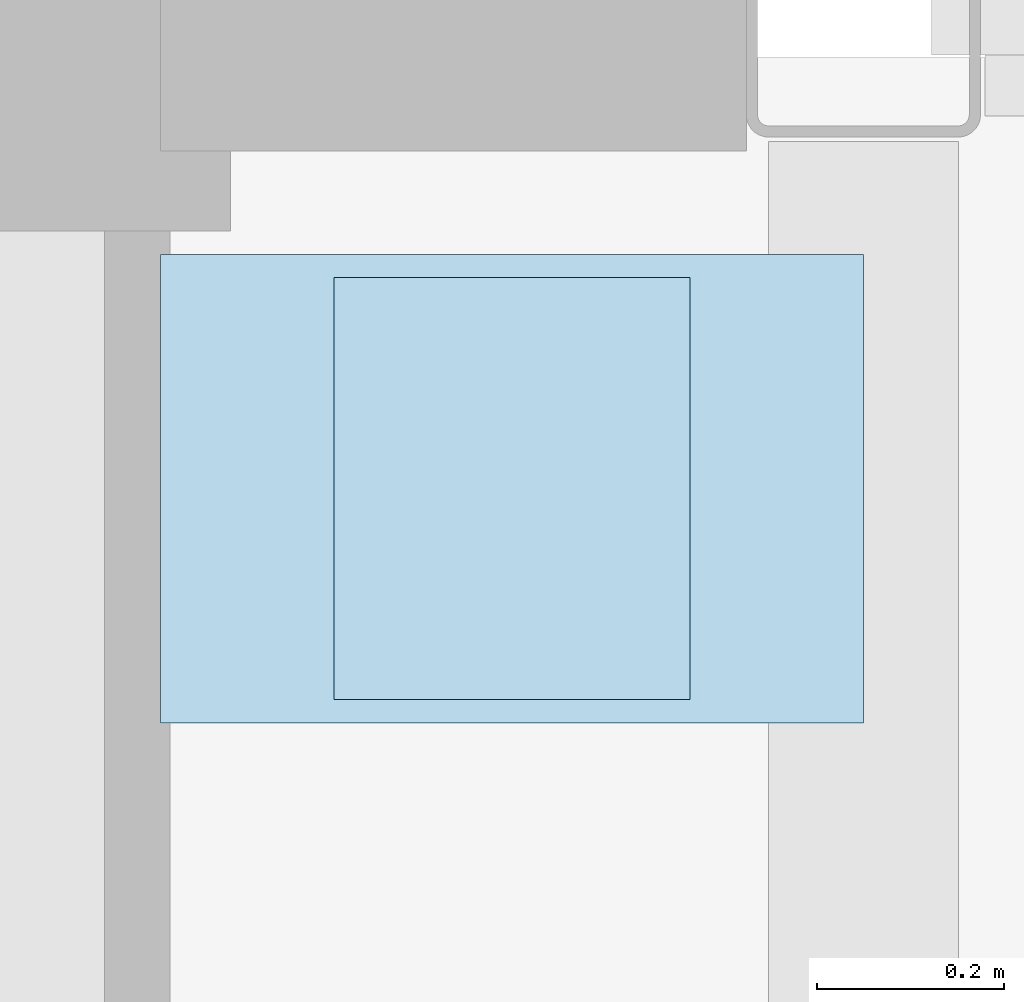
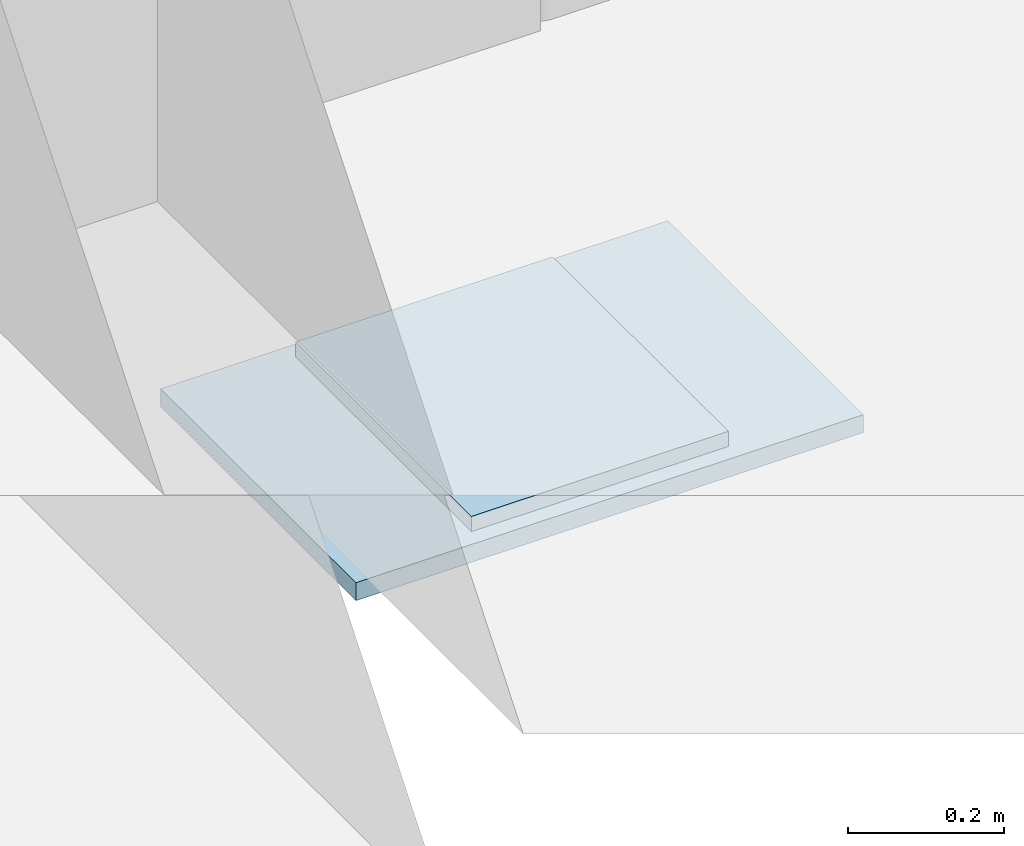
# One storey, part 104 of 136: 2 plates.
"""IFC4 building model written with IfcOpenShell, lengths in metres."""

from ifc_helpers import new_model, si_unit, direction, frame, origin, origin_2d, place, context, subcontext, project, spatial, rectangle, extrude, material, layer, layer_set, type_object, element, save


model = new_model("IFC4")

# Units and contexts
model_context = context("Model", 3, precision=1e-05, world=origin(), true_north=direction((0.0, 1.0)))
body_context = subcontext(model_context, "Body", "Model", "MODEL_VIEW")
ifc_project = project(units=[si_unit("LENGTHUNIT", "METRE"), si_unit("AREAUNIT", "SQUARE_METRE"), si_unit("VOLUMEUNIT", "CUBIC_METRE"), si_unit("PLANEANGLEUNIT", "RADIAN"), si_unit("MASSUNIT", "GRAM", prefix="KILO")], contexts=[model_context])

# Site, building, storey
site_placement = place(None, origin())
site = spatial("IfcSite", under=ifc_project, at=site_placement, CompositionType="ELEMENT")
building_placement = place(site_placement, origin())
building = spatial("IfcBuilding", under=site, at=building_placement, Name="Koriwan Promenade Central Fire Station", CompositionType="ELEMENT")
storey_placement = place(building_placement, frame((0.0, 0.0, 5.39990234375)))
storey = spatial("IfcBuildingStorey", under=building, at=storey_placement, Name="L01", CompositionType="ELEMENT", Elevation=5.39990234375)

# Plates
ifc_material = material(Name="Steel ASTM A572 Grade 50", Category="steel")
ifc_layer_1 = layer(ifc_material, 0.028076171875, Name="Steel ASTM A572 Grade 50")
ifc_layer_set_1 = layer_set([ifc_layer_1], Name="Steel ASTM A572 Grade 50")
plate_type_1 = type_object("IfcPlateType", Name="BearingCorbelSeat_750", PredefinedType="SHEET", material=ifc_layer_set_1)
plate_1_placement = place(storey_placement, frame((115.72509765625, 49.89990234375, -0.3017578125), z_axis=(0.0, 0.0, 1.0), x_axis=(1.0, 0.0, 0.0)))
element("IfcPlate", 1, at=plate_1_placement, inside=storey, type_object=plate_type_1, Name="East Transfer Link Bridge 750 mm bearing corbel seat 1", PredefinedType="SHEET", context=body_context, shape_type="SweptSolid", body=[
    extrude(rectangle(XDim=0.75, YDim=0.5, at=origin_2d()), origin(), (0.0, 0.0, 1.0), 0.028076171875),
])
ifc_layer_2 = layer(ifc_material, 0.02392578125, Name="Steel ASTM A572 Grade 50")
ifc_layer_set_2 = layer_set([ifc_layer_2], Name="Steel ASTM A572 Grade 50")
plate_type_2 = type_object("IfcPlateType", Name="BearingSeat_Bridge", PredefinedType="SHEET", material=ifc_layer_set_2)
plate_2_placement = place(storey_placement, frame((115.72509765625, 49.89990234375, -0.27392578125), z_axis=(0.0, 0.0, 1.0), x_axis=(1.0, 0.0, 0.0)))
element("IfcPlate", 2, at=plate_2_placement, inside=storey, type_object=plate_type_2, Name="East Transfer Link Bridge PTFE sliding bearing seat 1", PredefinedType="SHEET", context=body_context, shape_type="SweptSolid", body=[
    extrude(rectangle(XDim=0.3798828125, YDim=0.449951171875, at=origin_2d()), origin(), (0.0, 0.0, 1.0), 0.02392578125),
])

save(model, "model.ifc")
